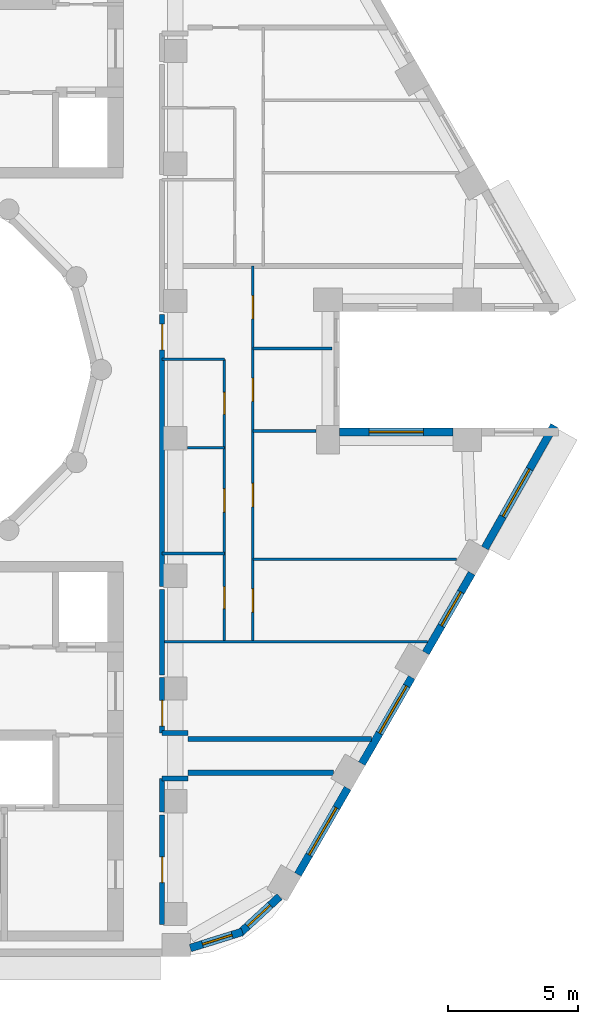
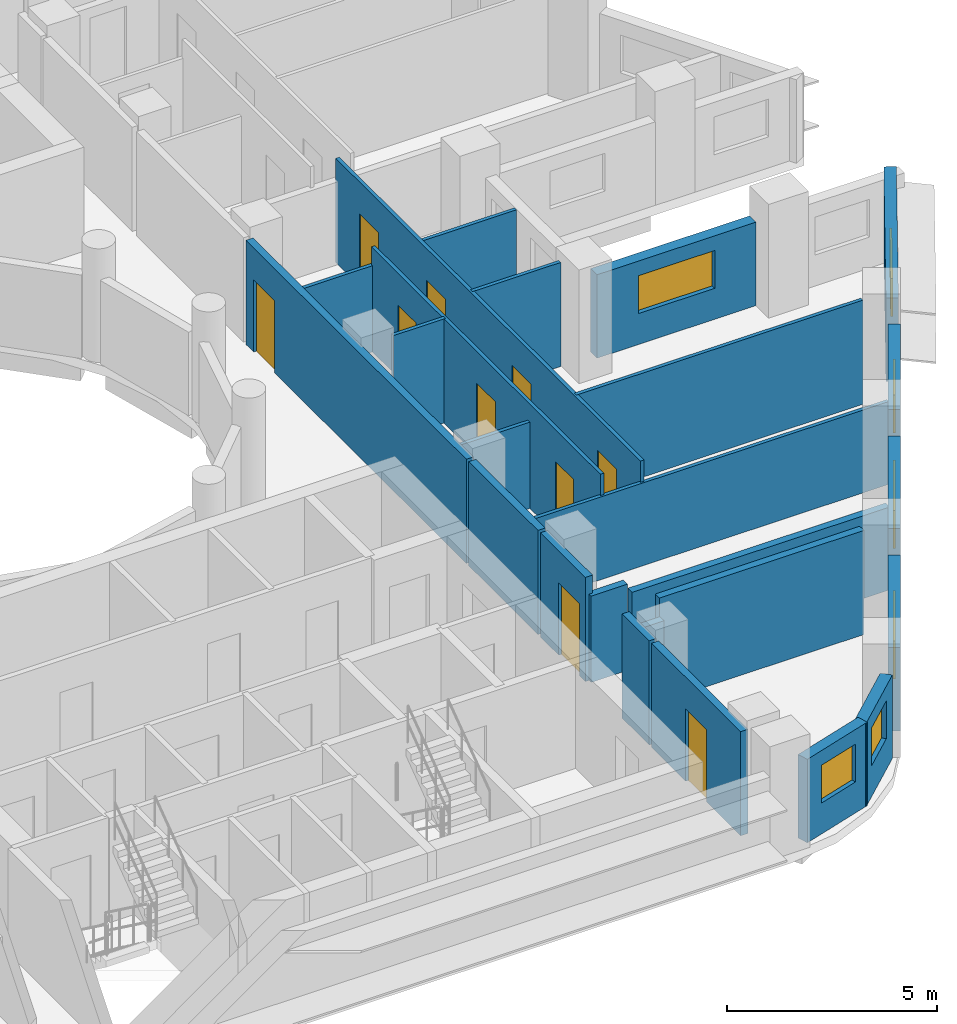
# One storey, part 5 of 12: 25 walls, 10 doors, 7 windows, 17 openings.
"""IFC4 building model written with IfcOpenShell, lengths in metres."""

from ifc_helpers import new_model, si_unit, direction, frame, frame_2d, origin, place, context, subcontext, project, spatial, rectangle, extrude, material, layer, layer_set, type_object, element, fill, save


model = new_model("IFC4")

# Units and contexts
model_context = context("Model", 3, precision=1e-05, world=origin(), true_north=direction((0.0, 1.0)))
body_context = subcontext(model_context, "Body", "Model", "MODEL_VIEW")
ifc_project = project(units=[si_unit("LENGTHUNIT", "METRE"), si_unit("AREAUNIT", "SQUARE_METRE"), si_unit("VOLUMEUNIT", "CUBIC_METRE"), si_unit("PLANEANGLEUNIT", "RADIAN"), si_unit("MASSUNIT", "GRAM", prefix="KILO")], contexts=[model_context])

# Site, building, storey
site_placement = place(None, origin())
site = spatial("IfcSite", under=ifc_project, at=site_placement, CompositionType="ELEMENT")
building_placement = place(site_placement, origin())
building = spatial("IfcBuilding", under=site, at=building_placement, Name="Nakaniwa Court", CompositionType="ELEMENT")
storey_placement = place(building_placement, frame((0.0, 0.0, 252.60009765625)))
storey = spatial("IfcBuildingStorey", under=building, at=storey_placement, Name="L66", CompositionType="ELEMENT", Elevation=252.60009765625)

# Wall, opening, door
ifc_material_1 = material(Name="Acoustic double stud partition")
ifc_layer_1 = layer(ifc_material_1, 0.199951171875)
ifc_layer_set_1 = layer_set([ifc_layer_1], Name="Acoustic double stud partition")
wall_type_1 = type_object("IfcWallType", Name="Acoustic double stud partition 200", PredefinedType="PARTITIONING", material=ifc_layer_set_1)
wall_1_placement = place(storey_placement, frame((89.5, 62.822998046875, 0.0), z_axis=(0.0, 0.0, 1.0), x_axis=(0.0, -1.0, 0.0)))
wall_1 = element("IfcWall", 1, at=wall_1_placement, inside=storey, type_object=wall_type_1, Name="Partition PW-059", PredefinedType="PARTITIONING", context=body_context, shape_type="SweptSolid", body=[
    extrude(rectangle(XDim=4.236083984375, YDim=0.199951171875, at=frame_2d((2.1181640625, 0.0))), origin(), (0.0, 0.0, 1.0), 3.02490234375),
])
opening_1_placement = place(wall_1_placement, frame((1.617919921875, 0.0, 0.0)))
opening_1 = element("IfcOpeningElement", 2, at=opening_1_placement, cuts=wall_1, Name="Opening D-02-01", PredefinedType="OPENING", context=body_context, shape_type="SweptSolid", body=[
    extrude(rectangle(XDim=1.0, YDim=2.10009765625, at=frame_2d((0.5, 1.050048828125))), frame((0.0, 0.10986328125, 0.0), z_axis=(0.0, -1.0, 0.0), x_axis=(1.0, 0.0, 0.0)), (0.0, 0.0, 1.0), 0.219970703125),
])
ifc_material_2 = material(Name="Solid core timber door set, black veneer", Category="wood")
door_type_1 = type_object("IfcDoorType", Name="Internal door 1000", OperationType="NOTDEFINED", PredefinedType="DOOR", material=ifc_material_2)
door_1_placement = place(opening_1_placement, origin())
door_1 = element("IfcDoor", 3, at=door_1_placement, inside=storey, type_object=door_type_1, Name="Door D-02-01 L66-031", OperationType="SINGLE_SWING_RIGHT", OverallHeight=2.10009765625, OverallWidth=1.0, PredefinedType="DOOR", context=body_context, shape_type="SweptSolid", body=[
    extrude(rectangle(XDim=1.0, YDim=2.10009765625, at=frame_2d((0.5, 1.050048828125))), frame((0.0, 0.02490234375, 0.0), z_axis=(0.0, -1.0, 0.0), x_axis=(1.0, 0.0, 0.0)), (0.0, 0.0, 1.0), 0.050048828125),
])
fill(opening_1, door_1)

# Wall
wall_2_placement = place(storey_placement, frame((89.5, 62.93701171875, 0.0), z_axis=(0.0, 0.0, 1.0), x_axis=(0.0, 1.0, 0.0)))
element("IfcWall", 4, at=wall_2_placement, inside=storey, type_object=wall_type_1, Name="Partition PW-060", PredefinedType="PARTITIONING", context=body_context, shape_type="SweptSolid", body=[
    extrude(rectangle(XDim=1.291015625, YDim=0.199951171875, at=frame_2d((0.6455078125, 0.0))), origin(), (0.0, 0.0, 1.0), 3.02490234375),
])

# Wall, opening, door
wall_3_placement = place(storey_placement, frame((89.5, 68.113037109375, 0.0), z_axis=(0.0, 0.0, 1.0), x_axis=(0.0, -1.0, 0.0)))
wall_3 = element("IfcWall", 5, at=wall_3_placement, inside=storey, type_object=wall_type_1, Name="Partition PW-061", PredefinedType="PARTITIONING", context=body_context, shape_type="SweptSolid", body=[
    extrude(rectangle(XDim=2.14111328125, YDim=0.199951171875, at=frame_2d((1.070556640625, 0.0))), origin(), (0.0, 0.0, 1.0), 3.02490234375),
])
opening_2_placement = place(wall_3_placement, frame((0.87109375, 0.0, 0.0)))
opening_2 = element("IfcOpeningElement", 6, at=opening_2_placement, cuts=wall_3, Name="Opening D-02-03", PredefinedType="OPENING", context=body_context, shape_type="SweptSolid", body=[
    extrude(rectangle(XDim=1.0, YDim=2.10009765625, at=frame_2d((0.5, 1.050048828125))), frame((0.0, 0.10986328125, 0.0), z_axis=(0.0, -1.0, 0.0), x_axis=(1.0, 0.0, 0.0)), (0.0, 0.0, 1.0), 0.219970703125),
])
door_2_placement = place(opening_2_placement, origin())
door_2 = element("IfcDoor", 7, at=door_2_placement, inside=storey, type_object=door_type_1, Name="Door D-02-03 L66-059", OperationType="SINGLE_SWING_RIGHT", OverallHeight=2.10009765625, OverallWidth=1.0, PredefinedType="DOOR", context=body_context, shape_type="SweptSolid", body=[
    extrude(rectangle(XDim=1.0, YDim=2.10009765625, at=frame_2d((0.5, 1.050048828125))), frame((0.0, 0.02490234375, 0.0), z_axis=(0.0, -1.0, 0.0), x_axis=(1.0, 0.0, 0.0)), (0.0, 0.0, 1.0), 0.050048828125),
])
fill(opening_2, door_2)

# Wall
wall_4_placement = place(storey_placement, frame((89.5, 68.22705078125, 0.0), z_axis=(0.0, 0.0, 1.0), x_axis=(0.0, 1.0, 0.0)))
element("IfcWall", 8, at=wall_4_placement, inside=storey, type_object=wall_type_1, Name="Partition PW-062", PredefinedType="PARTITIONING", context=body_context, shape_type="SweptSolid", body=[
    extrude(rectangle(XDim=3.2958984375, YDim=0.199951171875, at=frame_2d((1.64794921875, 0.0))), origin(), (0.0, 0.0, 1.0), 3.02490234375),
])

# Wall, opening, door
wall_5_placement = place(storey_placement, frame((89.5, 82.123046875, 0.0), z_axis=(0.0, 0.0, 1.0), x_axis=(0.0, -1.0, 0.0)))
wall_5 = element("IfcWall", 9, at=wall_5_placement, inside=storey, type_object=wall_type_1, Name="Partition PW-063", PredefinedType="PARTITIONING", context=body_context, shape_type="SweptSolid", body=[
    extrude(rectangle(XDim=10.486083984375, YDim=0.199951171875, at=frame_2d((5.2431640625, 0.0))), origin(), (0.0, 0.0, 1.0), 3.02490234375),
])
opening_3_placement = place(wall_5_placement, frame((0.363037109375, 0.0, 0.0)))
opening_3 = element("IfcOpeningElement", 10, at=opening_3_placement, cuts=wall_5, Name="Opening D-01-01", PredefinedType="OPENING", context=body_context, shape_type="SweptSolid", body=[
    extrude(rectangle(XDim=1.0, YDim=2.10009765625, at=frame_2d((0.5, 1.050048828125))), frame((0.0, 0.10986328125, 0.0), z_axis=(0.0, -1.0, 0.0), x_axis=(1.0, 0.0, 0.0)), (0.0, 0.0, 1.0), 0.219970703125),
])
door_type_2 = type_object("IfcDoorType", Name="Flat entrance door 1000", OperationType="NOTDEFINED", PredefinedType="DOOR", material=ifc_material_2)
door_3_placement = place(opening_3_placement, origin())
door_3 = element("IfcDoor", 11, at=door_3_placement, inside=storey, type_object=door_type_2, Name="Door D-01-01 L66-032", OperationType="SINGLE_SWING_LEFT", OverallHeight=2.10009765625, OverallWidth=1.0, PredefinedType="DOOR", context=body_context, shape_type="SweptSolid", body=[
    extrude(rectangle(XDim=1.0, YDim=2.10009765625, at=frame_2d((0.5, 1.050048828125))), frame((0.0, 0.02490234375, 0.0), z_axis=(0.0, -1.0, 0.0), x_axis=(1.0, 0.0, 0.0)), (0.0, 0.0, 1.0), 0.050048828125),
])
fill(opening_3, door_3)

# Walls
wall_6_placement = place(storey_placement, frame((90.5, 64.449951171875, 0.0), z_axis=(0.0, 0.0, 1.0), x_axis=(1.0, 0.0, 0.0)))
element("IfcWall", 12, at=wall_6_placement, inside=storey, type_object=wall_type_1, Name="Partition PW-079", PredefinedType="PARTITIONING", context=body_context, shape_type="SweptSolid", body=[
    extrude(rectangle(XDim=5.61669921875, YDim=0.199951171875, at=frame_2d((2.808349609375, 0.0))), origin(), (0.0, 0.0, 1.0), 3.02490234375),
])
for number, where, z_axis, x_axis, name in (
    (13, (89.5, 64.22509765625, 0.0), (0.0, 0.0, 1.0), (1.0, 0.0, 0.0), "Partition PW-081"),
    (14, (89.5, 65.97509765625, 0.0), (0.0, 0.0, 1.0), (1.0, 0.0, 0.0), "Partition PW-083"),
):
    element("IfcWall", number, at=place(storey_placement, frame(where, z_axis=z_axis, x_axis=x_axis)), inside=storey, type_object=wall_type_1, Name=name, PredefinedType="PARTITIONING", context=body_context, shape_type="SweptSolid", body=[
        extrude(rectangle(XDim=1.0, YDim=0.199951171875, at=frame_2d((0.5, 0.0))), origin(), (0.0, 0.0, 1.0), 2.5048828125),
    ])
wall_7_placement = place(storey_placement, frame((90.5, 65.75, 0.0), z_axis=(0.0, 0.0, 1.0), x_axis=(1.0, 0.0, 0.0)))
element("IfcWall", 15, at=wall_7_placement, inside=storey, type_object=wall_type_1, Name="Partition PW-085", PredefinedType="PARTITIONING", context=body_context, shape_type="SweptSolid", body=[
    extrude(rectangle(XDim=7.080322265625, YDim=0.199951171875, at=frame_2d((3.5400390625, 0.0))), origin(), (0.0, 0.0, 1.0), 2.40478515625),
])

# Wall, opening, window
ifc_material_3 = material(Name="Charcoal ceramic cladding")
ifc_layer_2 = layer(ifc_material_3, 0.02, Name="Ceramic cladding")
ifc_material_4 = material(Name="Ventilated air cavity")
ifc_layer_3 = layer(ifc_material_4, 0.04, ventilated=True, Name="Ventilated cavity")
ifc_material_5 = material(Name="Mineral wool insulation")
ifc_layer_4 = layer(ifc_material_5, 0.1, Name="Insulation")
ifc_material_6 = material(Name="Cement bonded sheathing board")
ifc_layer_5 = layer(ifc_material_6, 0.012, Name="Sheathing")
ifc_material_7 = material(Name="Cold-formed galvanised stud frame with mineral wool infill")
ifc_layer_6 = layer(ifc_material_7, 0.1, Name="Stud frame")
ifc_material_8 = material(Name="Fire-rated gypsum plasterboard lining")
ifc_layer_7 = layer(ifc_material_8, 0.028, Name="Lining")
ifc_layer_set_2 = layer_set([ifc_layer_2, ifc_layer_3, ifc_layer_4, ifc_layer_5, ifc_layer_6, ifc_layer_7], Name="Charcoal ceramic faced external wall system")
wall_type_2 = type_object("IfcWallType", Name="Black ceramic faced external wall 300", PredefinedType="SOLIDWALL", material=ifc_layer_set_2)
wall_8_placement = place(storey_placement, frame((90.585693359375, 57.68408203125, 0.0), z_axis=(0.0, 0.0, 1.0), x_axis=(0.954941641926, 0.296793632875, 0.0)))
wall_8 = element("IfcWall", 16, at=wall_8_placement, inside=storey, type_object=wall_type_2, Name="L66 external wall 27", PredefinedType="SOLIDWALL", context=body_context, shape_type="SweptSolid", body=[
    extrude(rectangle(XDim=2.1025390625, YDim=0.300048828125, at=frame_2d((1.05126953125, 0.0))), origin(), (0.0, 0.0, 1.0), 2.4248046875),
])
opening_4_placement = place(wall_8_placement, frame((0.490234375, 0.0, 0.89990234375)))
opening_4 = element("IfcOpeningElement", 17, at=opening_4_placement, cuts=wall_8, Name="Opening W6.28", PredefinedType="OPENING", context=body_context, shape_type="SweptSolid", body=[
    extrude(rectangle(XDim=1.199951171875, YDim=1.10009765625, at=frame_2d((0.60009765625, 0.550048828125))), frame((0.0, 0.159912109375, 0.0), z_axis=(0.0, -1.0, 0.0), x_axis=(1.0, 0.0, 0.0)), (0.0, 0.0, 1.0), 0.320068359375),
])
ifc_material_9 = material(Name="Black anodised aluminium frame with dark low-E laminated double glazing", Category="aluminium")
window_type_1 = type_object("IfcWindowType", Name="Dark glass window 1200x1100 sill 900", PartitioningType="SINGLE_PANEL", PredefinedType="WINDOW", material=ifc_material_9)
window_1_placement = place(opening_4_placement, origin())
window_1 = element("IfcWindow", 18, at=window_1_placement, inside=storey, type_object=window_type_1, Name="L66 habitable room window 27-0", OverallHeight=1.10009765625, OverallWidth=1.199951171875, PartitioningType="SINGLE_PANEL", PredefinedType="WINDOW", context=body_context, shape_type="SweptSolid", body=[
    extrude(rectangle(XDim=1.199951171875, YDim=1.10009765625, at=frame_2d((0.60009765625, 0.550048828125))), frame((0.0, 0.030029296875, 0.0), z_axis=(0.0, -1.0, 0.0), x_axis=(1.0, 0.0, 0.0)), (0.0, 0.0, 1.0), 0.06005859375),
])
fill(opening_4, window_1)

wall_9_placement = place(storey_placement, frame((92.489501953125, 58.247314453125, 0.0), z_axis=(0.0, 0.0, 1.0), x_axis=(0.734830223907, 0.678251090698, 0.0)))
wall_9 = element("IfcWall", 19, at=wall_9_placement, inside=storey, type_object=wall_type_2, Name="L66 external wall 28", PredefinedType="SOLIDWALL", context=body_context, shape_type="SweptSolid", body=[
    extrude(rectangle(XDim=2.09716796875, YDim=0.300048828125, at=frame_2d((1.048583984375, 0.0))), origin(), (0.0, 0.0, 1.0), 2.4248046875),
])
opening_5_placement = place(wall_9_placement, frame((0.409423828125, 0.0, 0.89990234375)))
opening_5 = element("IfcOpeningElement", 20, at=opening_5_placement, cuts=wall_9, Name="Opening W6.29", PredefinedType="OPENING", context=body_context, shape_type="SweptSolid", body=[
    extrude(rectangle(XDim=1.199951171875, YDim=1.10009765625, at=frame_2d((0.60009765625, 0.550048828125))), frame((0.0, 0.159912109375, 0.0), z_axis=(0.0, -1.0, 0.0), x_axis=(1.0, 0.0, 0.0)), (0.0, 0.0, 1.0), 0.320068359375),
])
window_2_placement = place(opening_5_placement, origin())
window_2 = element("IfcWindow", 21, at=window_2_placement, inside=storey, type_object=window_type_1, Name="L66 habitable room window 28-0", OverallHeight=1.10009765625, OverallWidth=1.199951171875, PartitioningType="SINGLE_PANEL", PredefinedType="WINDOW", context=body_context, shape_type="SweptSolid", body=[
    extrude(rectangle(XDim=1.199951171875, YDim=1.10009765625, at=frame_2d((0.60009765625, 0.550048828125))), frame((0.0, 0.030029296875, 0.0), z_axis=(0.0, -1.0, 0.0), x_axis=(1.0, 0.0, 0.0)), (0.0, 0.0, 1.0), 0.06005859375),
])
fill(opening_5, window_2)

wall_10_placement = place(storey_placement, frame((94.73583984375, 60.523193359375, 0.0), z_axis=(0.0, 0.0, 1.0), x_axis=(0.499984490703, 0.866034357896, 0.0)))
wall_10 = element("IfcWall", 22, at=wall_10_placement, inside=storey, type_object=wall_type_2, Name="L66 external wall 29", PredefinedType="SOLIDWALL", context=body_context, shape_type="SweptSolid", body=[
    extrude(rectangle(XDim=3.84423828125, YDim=0.300048828125, at=frame_2d((1.922119140625, 0.0))), origin(), (0.0, 0.0, 1.0), 2.4248046875),
])
opening_6_placement = place(wall_10_placement, frame((0.872314453125, 0.0, 0.89990234375)))
opening_6 = element("IfcOpeningElement", 23, at=opening_6_placement, cuts=wall_10, Name="Opening W7.30", PredefinedType="OPENING", context=body_context, shape_type="SweptSolid", body=[
    extrude(rectangle(XDim=2.10009765625, YDim=1.10009765625, at=frame_2d((1.050048828125, 0.550048828125))), frame((0.0, 0.159912109375, 0.0), z_axis=(0.0, -1.0, 0.0), x_axis=(1.0, 0.0, 0.0)), (0.0, 0.0, 1.0), 0.320068359375),
])
window_type_2 = type_object("IfcWindowType", Name="Dark glass window 2100x1100 sill 900", PartitioningType="SINGLE_PANEL", PredefinedType="WINDOW", material=ifc_material_9)
window_3_placement = place(opening_6_placement, origin())
window_3 = element("IfcWindow", 24, at=window_3_placement, inside=storey, type_object=window_type_2, Name="L66 habitable room window 29-0", OverallHeight=1.10009765625, OverallWidth=2.10009765625, PartitioningType="SINGLE_PANEL", PredefinedType="WINDOW", context=body_context, shape_type="SweptSolid", body=[
    extrude(rectangle(XDim=2.10009765625, YDim=1.10009765625, at=frame_2d((1.050048828125, 0.550048828125))), frame((0.0, 0.030029296875, 0.0), z_axis=(0.0, -1.0, 0.0), x_axis=(1.0, 0.0, 0.0)), (0.0, 0.0, 1.0), 0.06005859375),
])
fill(opening_6, window_3)

wall_11_placement = place(storey_placement, frame((97.2041015625, 64.798095703125, 0.0), z_axis=(0.0, 0.0, 1.0), x_axis=(0.499984490703, 0.866034357896, 0.0)))
wall_11 = element("IfcWall", 25, at=wall_11_placement, inside=storey, type_object=wall_type_2, Name="L66 external wall 30", PredefinedType="SOLIDWALL", context=body_context, shape_type="SweptSolid", body=[
    extrude(rectangle(XDim=3.84423828125, YDim=0.300048828125, at=frame_2d((1.922119140625, 0.0))), origin(), (0.0, 0.0, 1.0), 2.4248046875),
])
opening_7_placement = place(wall_11_placement, frame((1.360595703125, 0.0, 0.89990234375)))
opening_7 = element("IfcOpeningElement", 26, at=opening_7_placement, cuts=wall_11, Name="Opening W7.31", PredefinedType="OPENING", context=body_context, shape_type="SweptSolid", body=[
    extrude(rectangle(XDim=2.10009765625, YDim=1.10009765625, at=frame_2d((1.050048828125, 0.550048828125))), frame((0.0, 0.159912109375, 0.0), z_axis=(0.0, -1.0, 0.0), x_axis=(1.0, 0.0, 0.0)), (0.0, 0.0, 1.0), 0.320068359375),
])
window_4_placement = place(opening_7_placement, origin())
window_4 = element("IfcWindow", 27, at=window_4_placement, inside=storey, type_object=window_type_2, Name="L66 habitable room window 30-1", OverallHeight=1.10009765625, OverallWidth=2.10009765625, PartitioningType="SINGLE_PANEL", PredefinedType="WINDOW", context=body_context, shape_type="SweptSolid", body=[
    extrude(rectangle(XDim=2.10009765625, YDim=1.10009765625, at=frame_2d((1.050048828125, 0.550048828125))), frame((0.0, 0.030029296875, 0.0), z_axis=(0.0, -1.0, 0.0), x_axis=(1.0, 0.0, 0.0)), (0.0, 0.0, 1.0), 0.06005859375),
])
fill(opening_7, window_4)

wall_12_placement = place(storey_placement, frame((99.672119140625, 69.072998046875, 0.0), z_axis=(0.0, 0.0, 1.0), x_axis=(0.500010404316, 0.866019396766, 0.0)))
wall_12 = element("IfcWall", 28, at=wall_12_placement, inside=storey, type_object=wall_type_2, Name="L66 external wall 31", PredefinedType="SOLIDWALL", context=body_context, shape_type="SweptSolid", body=[
    extrude(rectangle(XDim=3.54736328125, YDim=0.300048828125, at=frame_2d((1.773681640625, 0.0))), origin(), (0.0, 0.0, 1.0), 2.4248046875),
])
opening_8_placement = place(wall_12_placement, frame((1.208984375, 0.0, 0.89990234375)))
opening_8 = element("IfcOpeningElement", 29, at=opening_8_placement, cuts=wall_12, Name="Opening W5.32", PredefinedType="OPENING", context=body_context, shape_type="SweptSolid", body=[
    extrude(rectangle(XDim=1.5, YDim=1.10009765625, at=frame_2d((0.75, 0.550048828125))), frame((0.0, 0.159912109375, 0.0), z_axis=(0.0, -1.0, 0.0), x_axis=(1.0, 0.0, 0.0)), (0.0, 0.0, 1.0), 0.320068359375),
])
window_type_3 = type_object("IfcWindowType", Name="Dark glass window 1500x1100 sill 900", PartitioningType="SINGLE_PANEL", PredefinedType="WINDOW", material=ifc_material_9)
window_5_placement = place(opening_8_placement, origin())
window_5 = element("IfcWindow", 30, at=window_5_placement, inside=storey, type_object=window_type_3, Name="L66 bedroom window 31-1", OverallHeight=1.10009765625, OverallWidth=1.5, PartitioningType="SINGLE_PANEL", PredefinedType="WINDOW", context=body_context, shape_type="SweptSolid", body=[
    extrude(rectangle(XDim=1.5, YDim=1.10009765625, at=frame_2d((0.75, 0.550048828125))), frame((0.0, 0.030029296875, 0.0), z_axis=(0.0, -1.0, 0.0), x_axis=(1.0, 0.0, 0.0)), (0.0, 0.0, 1.0), 0.06005859375),
])
fill(opening_8, window_5)

wall_13_placement = place(storey_placement, frame((101.951904296875, 73.113525390625, 0.0), z_axis=(0.0, 0.0, 1.0), x_axis=(0.492080931903, 0.870549456641, 0.0)))
wall_13 = element("IfcWall", 31, at=wall_13_placement, inside=storey, type_object=wall_type_2, Name="L66 external wall 32", PredefinedType="SOLIDWALL", context=body_context, shape_type="SweptSolid", body=[
    extrude(rectangle(XDim=5.436767578125, YDim=0.300048828125, at=frame_2d((2.71826171875, 0.0))), origin(), (0.0, 0.0, 1.0), 2.4248046875),
])
opening_9_placement = place(wall_13_placement, frame((1.405517578125, 0.0, 0.89990234375)))
opening_9 = element("IfcOpeningElement", 32, at=opening_9_placement, cuts=wall_13, Name="Opening W7.33", PredefinedType="OPENING", context=body_context, shape_type="SweptSolid", body=[
    extrude(rectangle(XDim=2.10009765625, YDim=1.10009765625, at=frame_2d((1.050048828125, 0.550048828125))), frame((0.0, 0.159912109375, 0.0), z_axis=(0.0, -1.0, 0.0), x_axis=(1.0, 0.0, 0.0)), (0.0, 0.0, 1.0), 0.320068359375),
])
window_6_placement = place(opening_9_placement, origin())
window_6 = element("IfcWindow", 33, at=window_6_placement, inside=storey, type_object=window_type_2, Name="L66 living window 32-0", OverallHeight=1.10009765625, OverallWidth=2.10009765625, PartitioningType="SINGLE_PANEL", PredefinedType="WINDOW", context=body_context, shape_type="SweptSolid", body=[
    extrude(rectangle(XDim=2.10009765625, YDim=1.10009765625, at=frame_2d((1.050048828125, 0.550048828125))), frame((0.0, 0.030029296875, 0.0), z_axis=(0.0, -1.0, 0.0), x_axis=(1.0, 0.0, 0.0)), (0.0, 0.0, 1.0), 0.06005859375),
])
fill(opening_9, window_6)

wall_14_placement = place(storey_placement, frame((100.718017578125, 77.60009765625, 0.0), z_axis=(0.0, 0.0, 1.0), x_axis=(-1.0, 0.0, 0.0)))
wall_14 = element("IfcWall", 34, at=wall_14_placement, inside=storey, type_object=wall_type_2, Name="L66 external wall 34", PredefinedType="SOLIDWALL", context=body_context, shape_type="SweptSolid", body=[
    extrude(rectangle(XDim=4.37255859375, YDim=0.300048828125, at=frame_2d((2.186279296875, 0.0))), origin(), (0.0, 0.0, 1.0), 2.4248046875),
])
opening_10_placement = place(wall_14_placement, frame((1.13623046875, 0.0, 0.89990234375)))
opening_10 = element("IfcOpeningElement", 35, at=opening_10_placement, cuts=wall_14, Name="Opening W7.35", PredefinedType="OPENING", context=body_context, shape_type="SweptSolid", body=[
    extrude(rectangle(XDim=2.10009765625, YDim=1.10009765625, at=frame_2d((1.050048828125, 0.550048828125))), frame((0.0, 0.159912109375, 0.0), z_axis=(0.0, -1.0, 0.0), x_axis=(1.0, 0.0, 0.0)), (0.0, 0.0, 1.0), 0.320068359375),
])
window_7_placement = place(opening_10_placement, origin())
window_7 = element("IfcWindow", 36, at=window_7_placement, inside=storey, type_object=window_type_2, Name="L66 living window 34-0", OverallHeight=1.10009765625, OverallWidth=2.10009765625, PartitioningType="SINGLE_PANEL", PredefinedType="WINDOW", context=body_context, shape_type="SweptSolid", body=[
    extrude(rectangle(XDim=2.10009765625, YDim=1.10009765625, at=frame_2d((1.050048828125, 0.550048828125))), frame((0.0, 0.030029296875, 0.0), z_axis=(0.0, -1.0, 0.0), x_axis=(1.0, 0.0, 0.0)), (0.0, 0.0, 1.0), 0.06005859375),
])
fill(opening_10, window_7)

# Wall
ifc_material_10 = material(Name="Single stud plasterboard partition")
ifc_layer_8 = layer(ifc_material_10, 0.10009765625)
ifc_layer_set_3 = layer_set([ifc_layer_8], Name="Single stud plasterboard partition")
wall_type_3 = type_object("IfcWallType", Name="Single stud plasterboard partition 100", PredefinedType="PARTITIONING", material=ifc_layer_set_3)
wall_15_placement = place(storey_placement, frame((89.5, 72.906005859375, 0.0), z_axis=(0.0, 0.0, 1.0), x_axis=(1.0, 0.0, 0.0)))
element("IfcWall", 37, at=wall_15_placement, inside=storey, type_object=wall_type_3, Name="Partition PW-096", PredefinedType="PARTITIONING", context=body_context, shape_type="SweptSolid", body=[
    extrude(rectangle(XDim=2.39990234375, YDim=0.10009765625, at=frame_2d((1.199951171875, 0.0))), origin(), (0.0, 0.0, 1.0), 2.5048828125),
])

# Wall, openings, doors
wall_16_placement = place(storey_placement, frame((91.89990234375, 69.5, 0.0), z_axis=(0.0, 0.0, 1.0), x_axis=(0.0, 1.0, 0.0)))
wall_16 = element("IfcWall", 38, at=wall_16_placement, inside=storey, type_object=wall_type_3, Name="Partition PW-097", PredefinedType="PARTITIONING", context=body_context, shape_type="SweptSolid", body=[
    extrude(rectangle(XDim=10.89990234375, YDim=0.10009765625, at=frame_2d((5.449951171875, 0.0))), origin(), (0.0, 0.0, 1.0), 3.02490234375),
])
opening_11_placement = place(wall_16_placement, frame((1.278076171875, 0.0, 0.0)))
opening_11 = element("IfcOpeningElement", 39, at=opening_11_placement, cuts=wall_16, Name="Opening D-03-01", PredefinedType="OPENING", context=body_context, shape_type="SweptSolid", body=[
    extrude(rectangle(XDim=0.85009765625, YDim=2.10009765625, at=frame_2d((0.425048828125, 1.050048828125))), frame((0.0, 0.06005859375, 0.0), z_axis=(0.0, -1.0, 0.0), x_axis=(1.0, 0.0, 0.0)), (0.0, 0.0, 1.0), 0.1201171875),
])
opening_12_placement = place(wall_16_placement, frame((5.0, 0.0, 0.0)))
opening_12 = element("IfcOpeningElement", 40, at=opening_12_placement, cuts=wall_16, Name="Opening D-33-01", PredefinedType="OPENING", context=body_context, shape_type="SweptSolid", body=[
    extrude(rectangle(XDim=0.89990234375, YDim=2.10009765625, at=frame_2d((0.449951171875, 1.050048828125))), frame((0.0, 0.06005859375, 0.0), z_axis=(0.0, -1.0, 0.0), x_axis=(1.0, 0.0, 0.0)), (0.0, 0.0, 1.0), 0.1201171875),
])
opening_13_placement = place(wall_16_placement, frame((8.77197265625, 0.0, 0.0)))
opening_13 = element("IfcOpeningElement", 41, at=opening_13_placement, cuts=wall_16, Name="Opening D-03-02", PredefinedType="OPENING", context=body_context, shape_type="SweptSolid", body=[
    extrude(rectangle(XDim=0.85009765625, YDim=2.10009765625, at=frame_2d((0.425048828125, 1.050048828125))), frame((0.0, 0.06005859375, 0.0), z_axis=(0.0, -1.0, 0.0), x_axis=(1.0, 0.0, 0.0)), (0.0, 0.0, 1.0), 0.1201171875),
])
ifc_material_11 = material(Name="Moisture sealed timber door set", Category="wood")
door_type_3 = type_object("IfcDoorType", Name="Bathroom door 850", OperationType="NOTDEFINED", PredefinedType="DOOR", material=ifc_material_11)
door_4_placement = place(opening_11_placement, origin())
door_4 = element("IfcDoor", 42, at=door_4_placement, inside=storey, type_object=door_type_3, Name="Door D-03-01 L66-033", OperationType="SINGLE_SWING_RIGHT", OverallHeight=2.10009765625, OverallWidth=0.85009765625, PredefinedType="DOOR", context=body_context, shape_type="SweptSolid", body=[
    extrude(rectangle(XDim=0.85009765625, YDim=2.10009765625, at=frame_2d((0.425048828125, 1.050048828125))), frame((0.0, 0.02490234375, 0.0), z_axis=(0.0, -1.0, 0.0), x_axis=(1.0, 0.0, 0.0)), (0.0, 0.0, 1.0), 0.050048828125),
])
fill(opening_11, door_4)
door_5_placement = place(opening_13_placement, origin())
door_5 = element("IfcDoor", 43, at=door_5_placement, inside=storey, type_object=door_type_3, Name="Door D-03-02 L66-035", OperationType="SINGLE_SWING_RIGHT", OverallHeight=2.10009765625, OverallWidth=0.85009765625, PredefinedType="DOOR", context=body_context, shape_type="SweptSolid", body=[
    extrude(rectangle(XDim=0.85009765625, YDim=2.10009765625, at=frame_2d((0.425048828125, 1.050048828125))), frame((0.0, 0.02490234375, 0.0), z_axis=(0.0, -1.0, 0.0), x_axis=(1.0, 0.0, 0.0)), (0.0, 0.0, 1.0), 0.050048828125),
])
fill(opening_13, door_5)
door_type_4 = type_object("IfcDoorType", Name="Internal door 900", OperationType="NOTDEFINED", PredefinedType="DOOR", material=ifc_material_2)
door_6_placement = place(opening_12_placement, origin())
door_6 = element("IfcDoor", 44, at=door_6_placement, inside=storey, type_object=door_type_4, Name="Door D-33-01 L66-034", OperationType="SINGLE_SWING_LEFT", OverallHeight=2.10009765625, OverallWidth=0.89990234375, PredefinedType="DOOR", context=body_context, shape_type="SweptSolid", body=[
    extrude(rectangle(XDim=0.89990234375, YDim=2.10009765625, at=frame_2d((0.449951171875, 1.050048828125))), frame((0.0, 0.02490234375, 0.0), z_axis=(0.0, -1.0, 0.0), x_axis=(1.0, 0.0, 0.0)), (0.0, 0.0, 1.0), 0.050048828125),
])
fill(opening_12, door_6)

# Walls
wall_17_placement = place(storey_placement, frame((89.5, 69.5, 0.0), z_axis=(0.0, 0.0, 1.0), x_axis=(1.0, 0.0, 0.0)))
element("IfcWall", 45, at=wall_17_placement, inside=storey, type_object=wall_type_3, Name="Partition PW-098", PredefinedType="PARTITIONING", context=body_context, shape_type="SweptSolid", body=[
    extrude(rectangle(XDim=10.245361328125, YDim=0.10009765625, at=frame_2d((5.12255859375, 0.0))), origin(), (0.0, 0.0, 1.0), 2.40478515625),
])
wall_18_placement = place(storey_placement, frame((90.469970703125, 76.993896484375, 0.0), z_axis=(0.0, 0.0, 1.0), x_axis=(1.0, 0.0, 0.0)))
element("IfcWall", 46, at=wall_18_placement, inside=storey, type_object=wall_type_3, Name="Partition PW-099", PredefinedType="PARTITIONING", context=body_context, shape_type="SweptSolid", body=[
    extrude(rectangle(XDim=1.429931640625, YDim=0.10009765625, at=frame_2d((0.71484375, 0.0))), origin(), (0.0, 0.0, 1.0), 3.02490234375),
])
wall_19_placement = place(storey_placement, frame((89.5, 80.39990234375, 0.0), z_axis=(0.0, 0.0, 1.0), x_axis=(1.0, 0.0, 0.0)))
element("IfcWall", 47, at=wall_19_placement, inside=storey, type_object=wall_type_3, Name="Partition PW-100", PredefinedType="PARTITIONING", context=body_context, shape_type="SweptSolid", body=[
    extrude(rectangle(XDim=2.39990234375, YDim=0.10009765625, at=frame_2d((1.199951171875, 0.0))), origin(), (0.0, 0.0, 1.0), 2.5048828125),
])

# Wall, openings, doors
wall_20_placement = place(storey_placement, frame((93.0, 84.0, 0.0), z_axis=(0.0, 0.0, 1.0), x_axis=(0.0, -1.0, 0.0)))
wall_20 = element("IfcWall", 48, at=wall_20_placement, inside=storey, type_object=wall_type_3, Name="Partition PW-101", PredefinedType="PARTITIONING", context=body_context, shape_type="SweptSolid", body=[
    extrude(rectangle(XDim=14.5, YDim=0.10009765625, at=frame_2d((7.25, 0.0))), origin(), (0.0, 0.0, 1.0), 3.02490234375),
])
opening_14_placement = place(wall_20_placement, frame((12.458984375, 0.0, 0.0)))
opening_14 = element("IfcOpeningElement", 49, at=opening_14_placement, cuts=wall_20, Name="Opening D-33-02", PredefinedType="OPENING", context=body_context, shape_type="SweptSolid", body=[
    extrude(rectangle(XDim=0.89990234375, YDim=2.10009765625, at=frame_2d((0.449951171875, 1.050048828125))), frame((0.0, 0.06005859375, 0.0), z_axis=(0.0, -1.0, 0.0), x_axis=(1.0, 0.0, 0.0)), (0.0, 0.0, 1.0), 0.1201171875),
])
opening_15_placement = place(wall_20_placement, frame((8.39111328125, 0.0, 0.0)))
opening_15 = element("IfcOpeningElement", 50, at=opening_15_placement, cuts=wall_20, Name="Opening D-33-03", PredefinedType="OPENING", context=body_context, shape_type="SweptSolid", body=[
    extrude(rectangle(XDim=0.89990234375, YDim=2.10009765625, at=frame_2d((0.449951171875, 1.050048828125))), frame((0.0, 0.06005859375, 0.0), z_axis=(0.0, -1.0, 0.0), x_axis=(1.0, 0.0, 0.0)), (0.0, 0.0, 1.0), 0.1201171875),
])
opening_16_placement = place(wall_20_placement, frame((4.323974609375, 0.0, 0.0)))
opening_16 = element("IfcOpeningElement", 51, at=opening_16_placement, cuts=wall_20, Name="Opening D-33-04", PredefinedType="OPENING", context=body_context, shape_type="SweptSolid", body=[
    extrude(rectangle(XDim=0.89990234375, YDim=2.10009765625, at=frame_2d((0.449951171875, 1.050048828125))), frame((0.0, 0.06005859375, 0.0), z_axis=(0.0, -1.0, 0.0), x_axis=(1.0, 0.0, 0.0)), (0.0, 0.0, 1.0), 0.1201171875),
])
opening_17_placement = place(wall_20_placement, frame((1.14111328125, 0.0, 0.0)))
opening_17 = element("IfcOpeningElement", 52, at=opening_17_placement, cuts=wall_20, Name="Opening D-33-05", PredefinedType="OPENING", context=body_context, shape_type="SweptSolid", body=[
    extrude(rectangle(XDim=0.89990234375, YDim=2.10009765625, at=frame_2d((0.449951171875, 1.050048828125))), frame((0.0, 0.06005859375, 0.0), z_axis=(0.0, -1.0, 0.0), x_axis=(1.0, 0.0, 0.0)), (0.0, 0.0, 1.0), 0.1201171875),
])
door_7_placement = place(opening_14_placement, origin())
door_7 = element("IfcDoor", 53, at=door_7_placement, inside=storey, type_object=door_type_4, Name="Door D-33-02 L66-036", OperationType="SINGLE_SWING_LEFT", OverallHeight=2.10009765625, OverallWidth=0.89990234375, PredefinedType="DOOR", context=body_context, shape_type="SweptSolid", body=[
    extrude(rectangle(XDim=0.89990234375, YDim=2.10009765625, at=frame_2d((0.449951171875, 1.050048828125))), frame((0.0, 0.02490234375, 0.0), z_axis=(0.0, -1.0, 0.0), x_axis=(1.0, 0.0, 0.0)), (0.0, 0.0, 1.0), 0.050048828125),
])
fill(opening_14, door_7)
door_8_placement = place(opening_15_placement, origin())
door_8 = element("IfcDoor", 54, at=door_8_placement, inside=storey, type_object=door_type_4, Name="Door D-33-03 L66-037", OperationType="SINGLE_SWING_RIGHT", OverallHeight=2.10009765625, OverallWidth=0.89990234375, PredefinedType="DOOR", context=body_context, shape_type="SweptSolid", body=[
    extrude(rectangle(XDim=0.89990234375, YDim=2.10009765625, at=frame_2d((0.449951171875, 1.050048828125))), frame((0.0, 0.02490234375, 0.0), z_axis=(0.0, -1.0, 0.0), x_axis=(1.0, 0.0, 0.0)), (0.0, 0.0, 1.0), 0.050048828125),
])
fill(opening_15, door_8)
door_9_placement = place(opening_16_placement, origin())
door_9 = element("IfcDoor", 55, at=door_9_placement, inside=storey, type_object=door_type_4, Name="Door D-33-04 L66-038", OperationType="SINGLE_SWING_LEFT", OverallHeight=2.10009765625, OverallWidth=0.89990234375, PredefinedType="DOOR", context=body_context, shape_type="SweptSolid", body=[
    extrude(rectangle(XDim=0.89990234375, YDim=2.10009765625, at=frame_2d((0.449951171875, 1.050048828125))), frame((0.0, 0.02490234375, 0.0), z_axis=(0.0, -1.0, 0.0), x_axis=(1.0, 0.0, 0.0)), (0.0, 0.0, 1.0), 0.050048828125),
])
fill(opening_16, door_9)
door_10_placement = place(opening_17_placement, origin())
door_10 = element("IfcDoor", 56, at=door_10_placement, inside=storey, type_object=door_type_4, Name="Door D-33-05 L66-039", OperationType="SINGLE_SWING_RIGHT", OverallHeight=2.10009765625, OverallWidth=0.89990234375, PredefinedType="DOOR", context=body_context, shape_type="SweptSolid", body=[
    extrude(rectangle(XDim=0.89990234375, YDim=2.10009765625, at=frame_2d((0.449951171875, 1.050048828125))), frame((0.0, 0.02490234375, 0.0), z_axis=(0.0, -1.0, 0.0), x_axis=(1.0, 0.0, 0.0)), (0.0, 0.0, 1.0), 0.050048828125),
])
fill(opening_17, door_10)

# Walls
wall_21_placement = place(storey_placement, frame((93.0, 72.68310546875, 0.0), z_axis=(0.0, 0.0, 1.0), x_axis=(1.0, 0.0, 0.0)))
element("IfcWall", 57, at=wall_21_placement, inside=storey, type_object=wall_type_3, Name="Partition PW-103", PredefinedType="PARTITIONING", context=body_context, shape_type="SweptSolid", body=[
    extrude(rectangle(XDim=7.8671875, YDim=0.10009765625, at=frame_2d((3.93359375, 0.0))), origin(), (0.0, 0.0, 1.0), 3.02490234375),
])
wall_22_placement = place(storey_placement, frame((93.0, 77.634033203125, 0.0), z_axis=(0.0, 0.0, 1.0), x_axis=(1.0, 0.0, 0.0)))
element("IfcWall", 58, at=wall_22_placement, inside=storey, type_object=wall_type_3, Name="Partition PW-104", PredefinedType="PARTITIONING", context=body_context, shape_type="SweptSolid", body=[
    extrude(rectangle(XDim=2.429443359375, YDim=0.10009765625, at=frame_2d((1.21484375, 0.0))), origin(), (0.0, 0.0, 1.0), 3.02490234375),
])
wall_23_placement = place(storey_placement, frame((93.0, 80.81689453125, 0.0), z_axis=(0.0, 0.0, 1.0), x_axis=(1.0, 0.0, 0.0)))
element("IfcWall", 59, at=wall_23_placement, inside=storey, type_object=wall_type_3, Name="Partition PW-105", PredefinedType="PARTITIONING", context=body_context, shape_type="SweptSolid", body=[
    extrude(rectangle(XDim=3.049560546875, YDim=0.10009765625, at=frame_2d((1.52490234375, 0.0))), origin(), (0.0, 0.0, 1.0), 2.40478515625),
])

save(model, "model.ifc")
